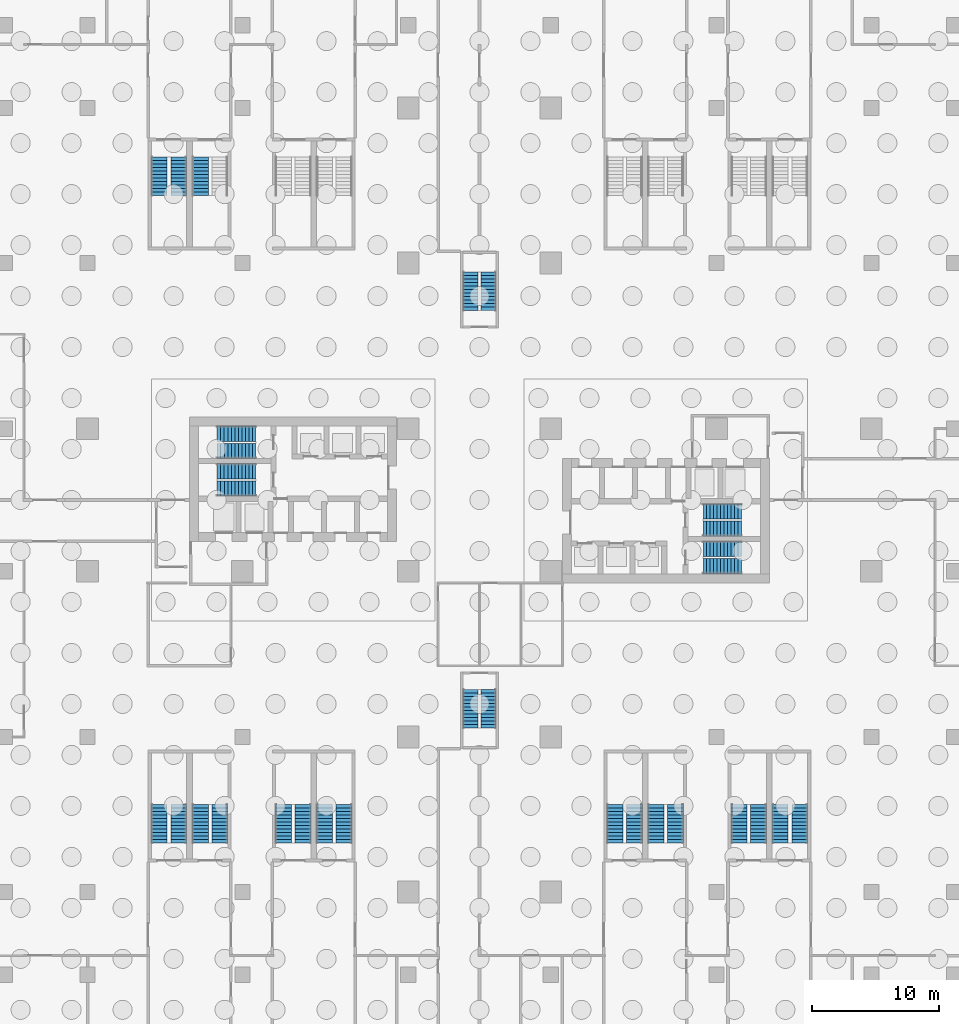
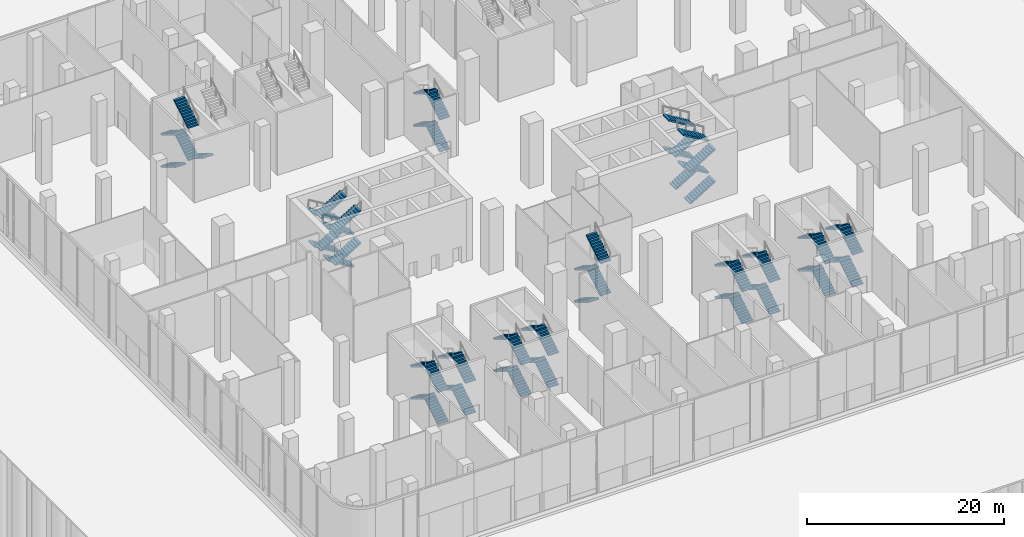
# One storey, part 24 of 27: 61 stair flights, 16 elements without a shape of their own.
"""IFC4 building model written with IfcOpenShell, lengths in metres."""

from ifc_helpers import new_model, si_unit, direction, frame, origin, place, context, subcontext, project, spatial, polyline, outline, extrude, source, transform, mapped, material, type_object, element, aggregate, save


model = new_model("IFC4")

# Units and contexts
model_context = context("Model", 3, precision=1e-05, world=origin(), true_north=direction((0.0, 1.0)))
body_context = subcontext(model_context, "Body", "Model", "MODEL_VIEW")
ifc_project = project(units=[si_unit("LENGTHUNIT", "METRE"), si_unit("AREAUNIT", "SQUARE_METRE"), si_unit("VOLUMEUNIT", "CUBIC_METRE"), si_unit("PLANEANGLEUNIT", "RADIAN"), si_unit("MASSUNIT", "GRAM", prefix="KILO")], contexts=[model_context])

# Site, building, storey
site_placement = place(None, origin())
site = spatial("IfcSite", under=ifc_project, at=site_placement, CompositionType="ELEMENT")
building_placement = place(site_placement, origin())
building = spatial("IfcBuilding", under=site, at=building_placement, Name="Trellis Farm Tower", CompositionType="ELEMENT")
storey_placement = place(building_placement, origin())
storey = spatial("IfcBuildingStorey", under=building, at=storey_placement, Name="L00", CompositionType="ELEMENT", Elevation=0.0)

# Stair, stair flights
ifc_material = material(Name="Concrete C50/60", Category="concrete")
stair_type_1 = type_object("IfcStairType", Name="CORE EXIT STAIR 48 RISERS 167 MM", PredefinedType="HALF_TURN_STAIR", material=ifc_material)
placement = place(storey_placement, origin())
stair_1 = element("IfcStair", 1, at=placement, inside=storey, type_object=stair_type_1, Name="Exit stair N", PredefinedType="HALF_TURN_STAIR")
stair_flight_type_1 = type_object("IfcStairFlightType", Name="STAIR FLIGHT 12 RISERS 167 MM", PredefinedType="STRAIGHT", material=ifc_material)
shared_shape_1 = source(origin(), body_context, "Body", "SweptSolid", [
    extrude(outline(polyline([(0.0, 0.0), (0.0, 0.166748046875), (0.27490234375, 0.166748046875), (0.27490234375, 0.333251953125), (0.550048828125, 0.333251953125), (0.550048828125, 0.5), (0.824951171875, 0.5), (0.824951171875, 0.666748046875), (1.10009765625, 0.666748046875), (1.10009765625, 0.833251953125), (1.375, 0.833251953125), (1.375, 1.0), (1.64990234375, 1.0), (1.64990234375, 1.166748046875), (1.925048828125, 1.166748046875), (1.925048828125, 1.333251953125), (2.199951171875, 1.333251953125), (2.199951171875, 1.5), (2.47509765625, 1.5), (2.47509765625, 1.666748046875), (2.75, 1.666748046875), (2.75, 1.833251953125), (3.02490234375, 1.833251953125), (3.02490234375, 2.0), (3.02490234375, 1.681396484375), (0.25048828125, 0.0), (0.0, 0.0)])), frame((0.0, 0.60009765625, 0.0), z_axis=(0.0, -1.0, 0.0), x_axis=(1.0, 0.0, 0.0)), (0.0, 0.0, 1.0), 1.199951171875),
])
stair_flight_1_placement = place(storey_placement, frame((0.699951171875, 14.85009765625, 0.0), z_axis=(0.0, 0.0, 1.0), x_axis=(0.0, 1.0, 0.0)))
stair_flight_1 = element("IfcStairFlight", 2, at=stair_flight_1_placement, type_object=stair_flight_type_1, Name="STN flight 1", NumberOfRisers=12, NumberOfTreads=11, PredefinedType="STRAIGHT", RiserHeight=0.166666667, TreadLength=0.275, context=body_context, shape_type="MappedRepresentation", body=[
    mapped(shared_shape_1, transform((0.0, 0.0, 0.0))),
])
stair_flight_2_placement = place(storey_placement, frame((-0.699951171875, 17.875, 2.0), z_axis=(0.0, 0.0, 1.0), x_axis=(0.0, -1.0, 0.0)))
stair_flight_2 = element("IfcStairFlight", 3, at=stair_flight_2_placement, type_object=stair_flight_type_1, Name="STN flight 2", NumberOfRisers=12, NumberOfTreads=11, PredefinedType="STRAIGHT", RiserHeight=0.166666667, TreadLength=0.275, context=body_context, shape_type="MappedRepresentation", body=[
    mapped(shared_shape_1, transform((0.0, 0.0, 0.0))),
])
stair_flight_3_placement = place(storey_placement, frame((0.699951171875, 14.85009765625, 4.0), z_axis=(0.0, 0.0, 1.0), x_axis=(0.0, 1.0, 0.0)))
stair_flight_3 = element("IfcStairFlight", 4, at=stair_flight_3_placement, type_object=stair_flight_type_1, Name="STN flight 3", NumberOfRisers=12, NumberOfTreads=11, PredefinedType="STRAIGHT", RiserHeight=0.166666667, TreadLength=0.275, context=body_context, shape_type="MappedRepresentation", body=[
    mapped(shared_shape_1, transform((0.0, 0.0, 0.0))),
])
stair_flight_4_placement = place(storey_placement, frame((-0.699951171875, 17.875, 6.0), z_axis=(0.0, 0.0, 1.0), x_axis=(0.0, -1.0, 0.0)))
stair_flight_4 = element("IfcStairFlight", 5, at=stair_flight_4_placement, type_object=stair_flight_type_1, Name="STN flight 4", NumberOfRisers=12, NumberOfTreads=11, PredefinedType="STRAIGHT", RiserHeight=0.166666667, TreadLength=0.275, context=body_context, shape_type="MappedRepresentation", body=[
    mapped(shared_shape_1, transform((0.0, 0.0, 0.0))),
])
aggregate(stair_1, [stair_flight_1, stair_flight_2, stair_flight_3, stair_flight_4])

stair_2 = element("IfcStair", 6, at=placement, inside=storey, type_object=stair_type_1, Name="Exit stair S", PredefinedType="HALF_TURN_STAIR")
stair_flight_5_placement = place(storey_placement, frame((-0.699951171875, -14.85009765625, 0.0), z_axis=(0.0, 0.0, 1.0), x_axis=(0.0, -1.0, 0.0)))
stair_flight_5 = element("IfcStairFlight", 7, at=stair_flight_5_placement, type_object=stair_flight_type_1, Name="STS flight 1", NumberOfRisers=12, NumberOfTreads=11, PredefinedType="STRAIGHT", RiserHeight=0.166666667, TreadLength=0.275, context=body_context, shape_type="MappedRepresentation", body=[
    mapped(shared_shape_1, transform((0.0, 0.0, 0.0))),
])
stair_flight_6_placement = place(storey_placement, frame((0.699951171875, -17.875, 2.0), z_axis=(0.0, 0.0, 1.0), x_axis=(0.0, 1.0, 0.0)))
stair_flight_6 = element("IfcStairFlight", 8, at=stair_flight_6_placement, type_object=stair_flight_type_1, Name="STS flight 2", NumberOfRisers=12, NumberOfTreads=11, PredefinedType="STRAIGHT", RiserHeight=0.166666667, TreadLength=0.275, context=body_context, shape_type="MappedRepresentation", body=[
    mapped(shared_shape_1, transform((0.0, 0.0, 0.0))),
])
stair_flight_7_placement = place(storey_placement, frame((-0.699951171875, -14.85009765625, 4.0), z_axis=(0.0, 0.0, 1.0), x_axis=(0.0, -1.0, 0.0)))
stair_flight_7 = element("IfcStairFlight", 9, at=stair_flight_7_placement, type_object=stair_flight_type_1, Name="STS flight 3", NumberOfRisers=12, NumberOfTreads=11, PredefinedType="STRAIGHT", RiserHeight=0.166666667, TreadLength=0.275, context=body_context, shape_type="MappedRepresentation", body=[
    mapped(shared_shape_1, transform((0.0, 0.0, 0.0))),
])
stair_flight_8_placement = place(storey_placement, frame((0.699951171875, -17.875, 6.0), z_axis=(0.0, 0.0, 1.0), x_axis=(0.0, 1.0, 0.0)))
stair_flight_8 = element("IfcStairFlight", 10, at=stair_flight_8_placement, type_object=stair_flight_type_1, Name="STS flight 4", NumberOfRisers=12, NumberOfTreads=11, PredefinedType="STRAIGHT", RiserHeight=0.166666667, TreadLength=0.275, context=body_context, shape_type="MappedRepresentation", body=[
    mapped(shared_shape_1, transform((0.0, 0.0, 0.0))),
])
aggregate(stair_2, [stair_flight_5, stair_flight_6, stair_flight_7, stair_flight_8])

stair_3 = element("IfcStair", 11, at=placement, inside=storey, type_object=stair_type_1, Name="Exit stair E1", PredefinedType="HALF_TURN_STAIR")
stair_flight_9_placement = place(storey_placement, frame((17.550048828125, -5.199951171875, 0.0), z_axis=(0.0, 0.0, 1.0), x_axis=(1.0, 0.0, 0.0)))
stair_flight_9 = element("IfcStairFlight", 12, at=stair_flight_9_placement, type_object=stair_flight_type_1, Name="STE1 flight 1", NumberOfRisers=12, NumberOfTreads=11, PredefinedType="STRAIGHT", RiserHeight=0.166666667, TreadLength=0.275, context=body_context, shape_type="MappedRepresentation", body=[
    mapped(shared_shape_1, transform((0.0, 0.0, 0.0))),
])
stair_flight_10_placement = place(storey_placement, frame((20.574951171875, -3.85009765625, 2.0), z_axis=(0.0, 0.0, 1.0), x_axis=(-1.0, 0.0, 0.0)))
stair_flight_10 = element("IfcStairFlight", 13, at=stair_flight_10_placement, type_object=stair_flight_type_1, Name="STE1 flight 2", NumberOfRisers=12, NumberOfTreads=11, PredefinedType="STRAIGHT", RiserHeight=0.166666667, TreadLength=0.275, context=body_context, shape_type="MappedRepresentation", body=[
    mapped(shared_shape_1, transform((0.0, 0.0, 0.0))),
])
stair_flight_11_placement = place(storey_placement, frame((17.550048828125, -5.199951171875, 4.0), z_axis=(0.0, 0.0, 1.0), x_axis=(1.0, 0.0, 0.0)))
stair_flight_11 = element("IfcStairFlight", 14, at=stair_flight_11_placement, type_object=stair_flight_type_1, Name="STE1 flight 3", NumberOfRisers=12, NumberOfTreads=11, PredefinedType="STRAIGHT", RiserHeight=0.166666667, TreadLength=0.275, context=body_context, shape_type="MappedRepresentation", body=[
    mapped(shared_shape_1, transform((0.0, 0.0, 0.0))),
])
stair_flight_12_placement = place(storey_placement, frame((20.574951171875, -3.85009765625, 6.0), z_axis=(0.0, 0.0, 1.0), x_axis=(-1.0, 0.0, 0.0)))
stair_flight_12 = element("IfcStairFlight", 15, at=stair_flight_12_placement, type_object=stair_flight_type_1, Name="STE1 flight 4", NumberOfRisers=12, NumberOfTreads=11, PredefinedType="STRAIGHT", RiserHeight=0.166666667, TreadLength=0.275, context=body_context, shape_type="MappedRepresentation", body=[
    mapped(shared_shape_1, transform((0.0, 0.0, 0.0))),
])
aggregate(stair_3, [stair_flight_9, stair_flight_10, stair_flight_11, stair_flight_12])

stair_4 = element("IfcStair", 16, at=placement, inside=storey, type_object=stair_type_1, Name="Exit stair E2", PredefinedType="HALF_TURN_STAIR")
stair_flight_13_placement = place(storey_placement, frame((17.550048828125, -2.25, 0.0), z_axis=(0.0, 0.0, 1.0), x_axis=(1.0, 0.0, 0.0)))
stair_flight_13 = element("IfcStairFlight", 17, at=stair_flight_13_placement, type_object=stair_flight_type_1, Name="STE2 flight 1", NumberOfRisers=12, NumberOfTreads=11, PredefinedType="STRAIGHT", RiserHeight=0.166666667, TreadLength=0.275, context=body_context, shape_type="MappedRepresentation", body=[
    mapped(shared_shape_1, transform((0.0, 0.0, 0.0))),
])
stair_flight_14_placement = place(storey_placement, frame((20.574951171875, -0.89990234375, 2.0), z_axis=(0.0, 0.0, 1.0), x_axis=(-1.0, 0.0, 0.0)))
stair_flight_14 = element("IfcStairFlight", 18, at=stair_flight_14_placement, type_object=stair_flight_type_1, Name="STE2 flight 2", NumberOfRisers=12, NumberOfTreads=11, PredefinedType="STRAIGHT", RiserHeight=0.166666667, TreadLength=0.275, context=body_context, shape_type="MappedRepresentation", body=[
    mapped(shared_shape_1, transform((0.0, 0.0, 0.0))),
])
stair_flight_15_placement = place(storey_placement, frame((17.550048828125, -2.25, 4.0), z_axis=(0.0, 0.0, 1.0), x_axis=(1.0, 0.0, 0.0)))
stair_flight_15 = element("IfcStairFlight", 19, at=stair_flight_15_placement, type_object=stair_flight_type_1, Name="STE2 flight 3", NumberOfRisers=12, NumberOfTreads=11, PredefinedType="STRAIGHT", RiserHeight=0.166666667, TreadLength=0.275, context=body_context, shape_type="MappedRepresentation", body=[
    mapped(shared_shape_1, transform((0.0, 0.0, 0.0))),
])
stair_flight_16_placement = place(storey_placement, frame((20.574951171875, -0.89990234375, 6.0), z_axis=(0.0, 0.0, 1.0), x_axis=(-1.0, 0.0, 0.0)))
stair_flight_16 = element("IfcStairFlight", 20, at=stair_flight_16_placement, type_object=stair_flight_type_1, Name="STE2 flight 4", NumberOfRisers=12, NumberOfTreads=11, PredefinedType="STRAIGHT", RiserHeight=0.166666667, TreadLength=0.275, context=body_context, shape_type="MappedRepresentation", body=[
    mapped(shared_shape_1, transform((0.0, 0.0, 0.0))),
])
aggregate(stair_4, [stair_flight_13, stair_flight_14, stair_flight_15, stair_flight_16])

stair_5 = element("IfcStair", 21, at=placement, inside=storey, type_object=stair_type_1, Name="Exit stair W1", PredefinedType="HALF_TURN_STAIR")
stair_flight_17_placement = place(storey_placement, frame((-17.550048828125, 5.199951171875, 0.0), z_axis=(0.0, 0.0, 1.0), x_axis=(-1.0, 0.0, 0.0)))
stair_flight_17 = element("IfcStairFlight", 22, at=stair_flight_17_placement, type_object=stair_flight_type_1, Name="STW1 flight 1", NumberOfRisers=12, NumberOfTreads=11, PredefinedType="STRAIGHT", RiserHeight=0.166666667, TreadLength=0.275, context=body_context, shape_type="MappedRepresentation", body=[
    mapped(shared_shape_1, transform((0.0, 0.0, 0.0))),
])
stair_flight_18_placement = place(storey_placement, frame((-20.574951171875, 3.85009765625, 2.0), z_axis=(0.0, 0.0, 1.0), x_axis=(1.0, 0.0, 0.0)))
stair_flight_18 = element("IfcStairFlight", 23, at=stair_flight_18_placement, type_object=stair_flight_type_1, Name="STW1 flight 2", NumberOfRisers=12, NumberOfTreads=11, PredefinedType="STRAIGHT", RiserHeight=0.166666667, TreadLength=0.275, context=body_context, shape_type="MappedRepresentation", body=[
    mapped(shared_shape_1, transform((0.0, 0.0, 0.0))),
])
stair_flight_19_placement = place(storey_placement, frame((-17.550048828125, 5.199951171875, 4.0), z_axis=(0.0, 0.0, 1.0), x_axis=(-1.0, 0.0, 0.0)))
stair_flight_19 = element("IfcStairFlight", 24, at=stair_flight_19_placement, type_object=stair_flight_type_1, Name="STW1 flight 3", NumberOfRisers=12, NumberOfTreads=11, PredefinedType="STRAIGHT", RiserHeight=0.166666667, TreadLength=0.275, context=body_context, shape_type="MappedRepresentation", body=[
    mapped(shared_shape_1, transform((0.0, 0.0, 0.0))),
])
stair_flight_20_placement = place(storey_placement, frame((-20.574951171875, 3.85009765625, 6.0), z_axis=(0.0, 0.0, 1.0), x_axis=(1.0, 0.0, 0.0)))
stair_flight_20 = element("IfcStairFlight", 25, at=stair_flight_20_placement, type_object=stair_flight_type_1, Name="STW1 flight 4", NumberOfRisers=12, NumberOfTreads=11, PredefinedType="STRAIGHT", RiserHeight=0.166666667, TreadLength=0.275, context=body_context, shape_type="MappedRepresentation", body=[
    mapped(shared_shape_1, transform((0.0, 0.0, 0.0))),
])
aggregate(stair_5, [stair_flight_17, stair_flight_18, stair_flight_19, stair_flight_20])

stair_6 = element("IfcStair", 26, at=placement, inside=storey, type_object=stair_type_1, Name="Exit stair W2", PredefinedType="HALF_TURN_STAIR")
stair_flight_21_placement = place(storey_placement, frame((-17.550048828125, 2.25, 0.0), z_axis=(0.0, 0.0, 1.0), x_axis=(-1.0, 0.0, 0.0)))
stair_flight_21 = element("IfcStairFlight", 27, at=stair_flight_21_placement, type_object=stair_flight_type_1, Name="STW2 flight 1", NumberOfRisers=12, NumberOfTreads=11, PredefinedType="STRAIGHT", RiserHeight=0.166666667, TreadLength=0.275, context=body_context, shape_type="MappedRepresentation", body=[
    mapped(shared_shape_1, transform((0.0, 0.0, 0.0))),
])
stair_flight_22_placement = place(storey_placement, frame((-20.574951171875, 0.89990234375, 2.0), z_axis=(0.0, 0.0, 1.0), x_axis=(1.0, 0.0, 0.0)))
stair_flight_22 = element("IfcStairFlight", 28, at=stair_flight_22_placement, type_object=stair_flight_type_1, Name="STW2 flight 2", NumberOfRisers=12, NumberOfTreads=11, PredefinedType="STRAIGHT", RiserHeight=0.166666667, TreadLength=0.275, context=body_context, shape_type="MappedRepresentation", body=[
    mapped(shared_shape_1, transform((0.0, 0.0, 0.0))),
])
stair_flight_23_placement = place(storey_placement, frame((-17.550048828125, 2.25, 4.0), z_axis=(0.0, 0.0, 1.0), x_axis=(-1.0, 0.0, 0.0)))
stair_flight_23 = element("IfcStairFlight", 29, at=stair_flight_23_placement, type_object=stair_flight_type_1, Name="STW2 flight 3", NumberOfRisers=12, NumberOfTreads=11, PredefinedType="STRAIGHT", RiserHeight=0.166666667, TreadLength=0.275, context=body_context, shape_type="MappedRepresentation", body=[
    mapped(shared_shape_1, transform((0.0, 0.0, 0.0))),
])
stair_flight_24_placement = place(storey_placement, frame((-20.574951171875, 0.89990234375, 6.0), z_axis=(0.0, 0.0, 1.0), x_axis=(1.0, 0.0, 0.0)))
stair_flight_24 = element("IfcStairFlight", 30, at=stair_flight_24_placement, type_object=stair_flight_type_1, Name="STW2 flight 4", NumberOfRisers=12, NumberOfTreads=11, PredefinedType="STRAIGHT", RiserHeight=0.166666667, TreadLength=0.275, context=body_context, shape_type="MappedRepresentation", body=[
    mapped(shared_shape_1, transform((0.0, 0.0, 0.0))),
])
aggregate(stair_6, [stair_flight_21, stair_flight_22, stair_flight_23, stair_flight_24])

stair_type_2 = type_object("IfcStairType", Name="PODIUM EXIT STAIR 48 RISERS 167 MM 1250 WIDE", PredefinedType="HALF_TURN_STAIR", material=ifc_material)
stair_7 = element("IfcStair", 31, at=placement, inside=storey, type_object=stair_type_2, Name="Podium exit stair STP1A", PredefinedType="HALF_TURN_STAIR")
stair_flight_type_2 = type_object("IfcStairFlightType", Name="PODIUM STAIR FLIGHT 12 RISERS 167 MM 1250 WIDE", PredefinedType="STRAIGHT", material=ifc_material)
shared_shape_2 = source(origin(), body_context, "Body", "SweptSolid", [
    extrude(outline(polyline([(0.0, 0.0), (0.0, 0.166748046875), (0.27490234375, 0.166748046875), (0.27490234375, 0.333251953125), (0.550048828125, 0.333251953125), (0.550048828125, 0.5), (0.824951171875, 0.5), (0.824951171875, 0.666748046875), (1.10009765625, 0.666748046875), (1.10009765625, 0.833251953125), (1.375, 0.833251953125), (1.375, 1.0), (1.64990234375, 1.0), (1.64990234375, 1.166748046875), (1.925048828125, 1.166748046875), (1.925048828125, 1.333251953125), (2.199951171875, 1.333251953125), (2.199951171875, 1.5), (2.47509765625, 1.5), (2.47509765625, 1.666748046875), (2.75, 1.666748046875), (2.75, 1.833251953125), (3.02490234375, 1.833251953125), (3.02490234375, 2.0), (3.02490234375, 1.681396484375), (0.25048828125, 0.0), (0.0, 0.0)])), frame((0.0, 0.625, 0.0), z_axis=(0.0, -1.0, 0.0), x_axis=(1.0, 0.0, 0.0)), (0.0, 0.0, 1.0), 1.25),
])
stair_flight_25_placement = place(storey_placement, frame((-25.125, 26.89990234375, 0.0), z_axis=(0.0, 0.0, 1.0), x_axis=(0.0, -1.0, 0.0)))
stair_flight_25 = element("IfcStairFlight", 32, at=stair_flight_25_placement, type_object=stair_flight_type_2, Name="STP1A flight 1", NumberOfRisers=12, NumberOfTreads=11, PredefinedType="STRAIGHT", RiserHeight=0.166666667, TreadLength=0.275, context=body_context, shape_type="MappedRepresentation", body=[
    mapped(shared_shape_2, transform((0.0, 0.0, 0.0))),
])
stair_flight_26_placement = place(storey_placement, frame((-23.594970703125, 23.875, 2.0), z_axis=(0.0, 0.0, 1.0), x_axis=(0.0, 1.0, 0.0)))
stair_flight_26 = element("IfcStairFlight", 33, at=stair_flight_26_placement, type_object=stair_flight_type_2, Name="STP1A flight 2", NumberOfRisers=12, NumberOfTreads=11, PredefinedType="STRAIGHT", RiserHeight=0.166666667, TreadLength=0.275, context=body_context, shape_type="MappedRepresentation", body=[
    mapped(shared_shape_2, transform((0.0, 0.0, 0.0))),
])
stair_flight_27_placement = place(storey_placement, frame((-25.125, 26.89990234375, 4.0), z_axis=(0.0, 0.0, 1.0), x_axis=(0.0, -1.0, 0.0)))
stair_flight_27 = element("IfcStairFlight", 34, at=stair_flight_27_placement, type_object=stair_flight_type_2, Name="STP1A flight 3", NumberOfRisers=12, NumberOfTreads=11, PredefinedType="STRAIGHT", RiserHeight=0.166666667, TreadLength=0.275, context=body_context, shape_type="MappedRepresentation", body=[
    mapped(shared_shape_2, transform((0.0, 0.0, 0.0))),
])
stair_flight_28_placement = place(storey_placement, frame((-23.594970703125, 23.875, 6.0), z_axis=(0.0, 0.0, 1.0), x_axis=(0.0, 1.0, 0.0)))
stair_flight_28 = element("IfcStairFlight", 35, at=stair_flight_28_placement, type_object=stair_flight_type_2, Name="STP1A flight 4", NumberOfRisers=12, NumberOfTreads=11, PredefinedType="STRAIGHT", RiserHeight=0.166666667, TreadLength=0.275, context=body_context, shape_type="MappedRepresentation", body=[
    mapped(shared_shape_2, transform((0.0, 0.0, 0.0))),
])
aggregate(stair_7, [stair_flight_25, stair_flight_26, stair_flight_27, stair_flight_28])

# Stair, stair flight
stair_8 = element("IfcStair", 36, at=placement, inside=storey, type_object=stair_type_2, Name="Podium exit stair STP1B", PredefinedType="HALF_TURN_STAIR")
stair_flight_29_placement = place(storey_placement, frame((-21.905029296875, 26.89990234375, 0.0), z_axis=(0.0, 0.0, 1.0), x_axis=(0.0, -1.0, 0.0)))
stair_flight_29 = element("IfcStairFlight", 37, at=stair_flight_29_placement, type_object=stair_flight_type_2, Name="STP1B flight 1", NumberOfRisers=12, NumberOfTreads=11, PredefinedType="STRAIGHT", RiserHeight=0.166666667, TreadLength=0.275, context=body_context, shape_type="MappedRepresentation", body=[
    mapped(shared_shape_2, transform((0.0, 0.0, 0.0))),
])
aggregate(stair_8, [stair_flight_29])

# Stair, stair flights
stair_9 = element("IfcStair", 38, at=placement, inside=storey, type_object=stair_type_2, Name="Podium exit stair STP5A", PredefinedType="HALF_TURN_STAIR")
stair_flight_30_placement = place(storey_placement, frame((-23.594970703125, -26.89990234375, 0.0), z_axis=(0.0, 0.0, 1.0), x_axis=(0.0, 1.0, 0.0)))
stair_flight_30 = element("IfcStairFlight", 39, at=stair_flight_30_placement, type_object=stair_flight_type_2, Name="STP5A flight 1", NumberOfRisers=12, NumberOfTreads=11, PredefinedType="STRAIGHT", RiserHeight=0.166666667, TreadLength=0.275, context=body_context, shape_type="MappedRepresentation", body=[
    mapped(shared_shape_2, transform((0.0, 0.0, 0.0))),
])
stair_flight_31_placement = place(storey_placement, frame((-25.125, -23.875, 2.0), z_axis=(0.0, 0.0, 1.0), x_axis=(0.0, -1.0, 0.0)))
stair_flight_31 = element("IfcStairFlight", 40, at=stair_flight_31_placement, type_object=stair_flight_type_2, Name="STP5A flight 2", NumberOfRisers=12, NumberOfTreads=11, PredefinedType="STRAIGHT", RiserHeight=0.166666667, TreadLength=0.275, context=body_context, shape_type="MappedRepresentation", body=[
    mapped(shared_shape_2, transform((0.0, 0.0, 0.0))),
])
stair_flight_32_placement = place(storey_placement, frame((-23.594970703125, -26.89990234375, 4.0), z_axis=(0.0, 0.0, 1.0), x_axis=(0.0, 1.0, 0.0)))
stair_flight_32 = element("IfcStairFlight", 41, at=stair_flight_32_placement, type_object=stair_flight_type_2, Name="STP5A flight 3", NumberOfRisers=12, NumberOfTreads=11, PredefinedType="STRAIGHT", RiserHeight=0.166666667, TreadLength=0.275, context=body_context, shape_type="MappedRepresentation", body=[
    mapped(shared_shape_2, transform((0.0, 0.0, 0.0))),
])
stair_flight_33_placement = place(storey_placement, frame((-25.125, -23.875, 6.0), z_axis=(0.0, 0.0, 1.0), x_axis=(0.0, -1.0, 0.0)))
stair_flight_33 = element("IfcStairFlight", 42, at=stair_flight_33_placement, type_object=stair_flight_type_2, Name="STP5A flight 4", NumberOfRisers=12, NumberOfTreads=11, PredefinedType="STRAIGHT", RiserHeight=0.166666667, TreadLength=0.275, context=body_context, shape_type="MappedRepresentation", body=[
    mapped(shared_shape_2, transform((0.0, 0.0, 0.0))),
])
aggregate(stair_9, [stair_flight_30, stair_flight_31, stair_flight_32, stair_flight_33])

stair_10 = element("IfcStair", 43, at=placement, inside=storey, type_object=stair_type_2, Name="Podium exit stair STP5B", PredefinedType="HALF_TURN_STAIR")
stair_flight_34_placement = place(storey_placement, frame((-20.375, -26.89990234375, 0.0), z_axis=(0.0, 0.0, 1.0), x_axis=(0.0, 1.0, 0.0)))
stair_flight_34 = element("IfcStairFlight", 44, at=stair_flight_34_placement, type_object=stair_flight_type_2, Name="STP5B flight 1", NumberOfRisers=12, NumberOfTreads=11, PredefinedType="STRAIGHT", RiserHeight=0.166666667, TreadLength=0.275, context=body_context, shape_type="MappedRepresentation", body=[
    mapped(shared_shape_2, transform((0.0, 0.0, 0.0))),
])
stair_flight_35_placement = place(storey_placement, frame((-21.905029296875, -23.875, 2.0), z_axis=(0.0, 0.0, 1.0), x_axis=(0.0, -1.0, 0.0)))
stair_flight_35 = element("IfcStairFlight", 45, at=stair_flight_35_placement, type_object=stair_flight_type_2, Name="STP5B flight 2", NumberOfRisers=12, NumberOfTreads=11, PredefinedType="STRAIGHT", RiserHeight=0.166666667, TreadLength=0.275, context=body_context, shape_type="MappedRepresentation", body=[
    mapped(shared_shape_2, transform((0.0, 0.0, 0.0))),
])
stair_flight_36_placement = place(storey_placement, frame((-20.375, -26.89990234375, 4.0), z_axis=(0.0, 0.0, 1.0), x_axis=(0.0, 1.0, 0.0)))
stair_flight_36 = element("IfcStairFlight", 46, at=stair_flight_36_placement, type_object=stair_flight_type_2, Name="STP5B flight 3", NumberOfRisers=12, NumberOfTreads=11, PredefinedType="STRAIGHT", RiserHeight=0.166666667, TreadLength=0.275, context=body_context, shape_type="MappedRepresentation", body=[
    mapped(shared_shape_2, transform((0.0, 0.0, 0.0))),
])
stair_flight_37_placement = place(storey_placement, frame((-21.905029296875, -23.875, 6.0), z_axis=(0.0, 0.0, 1.0), x_axis=(0.0, -1.0, 0.0)))
stair_flight_37 = element("IfcStairFlight", 47, at=stair_flight_37_placement, type_object=stair_flight_type_2, Name="STP5B flight 4", NumberOfRisers=12, NumberOfTreads=11, PredefinedType="STRAIGHT", RiserHeight=0.166666667, TreadLength=0.275, context=body_context, shape_type="MappedRepresentation", body=[
    mapped(shared_shape_2, transform((0.0, 0.0, 0.0))),
])
aggregate(stair_10, [stair_flight_34, stair_flight_35, stair_flight_36, stair_flight_37])

stair_11 = element("IfcStair", 48, at=placement, inside=storey, type_object=stair_type_2, Name="Podium exit stair STP6A", PredefinedType="HALF_TURN_STAIR")
stair_flight_38_placement = place(storey_placement, frame((-13.844970703125, -26.89990234375, 0.0), z_axis=(0.0, 0.0, 1.0), x_axis=(0.0, 1.0, 0.0)))
stair_flight_38 = element("IfcStairFlight", 49, at=stair_flight_38_placement, type_object=stair_flight_type_2, Name="STP6A flight 1", NumberOfRisers=12, NumberOfTreads=11, PredefinedType="STRAIGHT", RiserHeight=0.166666667, TreadLength=0.275, context=body_context, shape_type="MappedRepresentation", body=[
    mapped(shared_shape_2, transform((0.0, 0.0, 0.0))),
])
stair_flight_39_placement = place(storey_placement, frame((-15.375, -23.875, 2.0), z_axis=(0.0, 0.0, 1.0), x_axis=(0.0, -1.0, 0.0)))
stair_flight_39 = element("IfcStairFlight", 50, at=stair_flight_39_placement, type_object=stair_flight_type_2, Name="STP6A flight 2", NumberOfRisers=12, NumberOfTreads=11, PredefinedType="STRAIGHT", RiserHeight=0.166666667, TreadLength=0.275, context=body_context, shape_type="MappedRepresentation", body=[
    mapped(shared_shape_2, transform((0.0, 0.0, 0.0))),
])
stair_flight_40_placement = place(storey_placement, frame((-13.844970703125, -26.89990234375, 4.0), z_axis=(0.0, 0.0, 1.0), x_axis=(0.0, 1.0, 0.0)))
stair_flight_40 = element("IfcStairFlight", 51, at=stair_flight_40_placement, type_object=stair_flight_type_2, Name="STP6A flight 3", NumberOfRisers=12, NumberOfTreads=11, PredefinedType="STRAIGHT", RiserHeight=0.166666667, TreadLength=0.275, context=body_context, shape_type="MappedRepresentation", body=[
    mapped(shared_shape_2, transform((0.0, 0.0, 0.0))),
])
stair_flight_41_placement = place(storey_placement, frame((-15.375, -23.875, 6.0), z_axis=(0.0, 0.0, 1.0), x_axis=(0.0, -1.0, 0.0)))
stair_flight_41 = element("IfcStairFlight", 52, at=stair_flight_41_placement, type_object=stair_flight_type_2, Name="STP6A flight 4", NumberOfRisers=12, NumberOfTreads=11, PredefinedType="STRAIGHT", RiserHeight=0.166666667, TreadLength=0.275, context=body_context, shape_type="MappedRepresentation", body=[
    mapped(shared_shape_2, transform((0.0, 0.0, 0.0))),
])
aggregate(stair_11, [stair_flight_38, stair_flight_39, stair_flight_40, stair_flight_41])

stair_12 = element("IfcStair", 53, at=placement, inside=storey, type_object=stair_type_2, Name="Podium exit stair STP6B", PredefinedType="HALF_TURN_STAIR")
stair_flight_42_placement = place(storey_placement, frame((-10.625, -26.89990234375, 0.0), z_axis=(0.0, 0.0, 1.0), x_axis=(0.0, 1.0, 0.0)))
stair_flight_42 = element("IfcStairFlight", 54, at=stair_flight_42_placement, type_object=stair_flight_type_2, Name="STP6B flight 1", NumberOfRisers=12, NumberOfTreads=11, PredefinedType="STRAIGHT", RiserHeight=0.166666667, TreadLength=0.275, context=body_context, shape_type="MappedRepresentation", body=[
    mapped(shared_shape_2, transform((0.0, 0.0, 0.0))),
])
stair_flight_43_placement = place(storey_placement, frame((-12.155029296875, -23.875, 2.0), z_axis=(0.0, 0.0, 1.0), x_axis=(0.0, -1.0, 0.0)))
stair_flight_43 = element("IfcStairFlight", 55, at=stair_flight_43_placement, type_object=stair_flight_type_2, Name="STP6B flight 2", NumberOfRisers=12, NumberOfTreads=11, PredefinedType="STRAIGHT", RiserHeight=0.166666667, TreadLength=0.275, context=body_context, shape_type="MappedRepresentation", body=[
    mapped(shared_shape_2, transform((0.0, 0.0, 0.0))),
])
stair_flight_44_placement = place(storey_placement, frame((-10.625, -26.89990234375, 4.0), z_axis=(0.0, 0.0, 1.0), x_axis=(0.0, 1.0, 0.0)))
stair_flight_44 = element("IfcStairFlight", 56, at=stair_flight_44_placement, type_object=stair_flight_type_2, Name="STP6B flight 3", NumberOfRisers=12, NumberOfTreads=11, PredefinedType="STRAIGHT", RiserHeight=0.166666667, TreadLength=0.275, context=body_context, shape_type="MappedRepresentation", body=[
    mapped(shared_shape_2, transform((0.0, 0.0, 0.0))),
])
stair_flight_45_placement = place(storey_placement, frame((-12.155029296875, -23.875, 6.0), z_axis=(0.0, 0.0, 1.0), x_axis=(0.0, -1.0, 0.0)))
stair_flight_45 = element("IfcStairFlight", 57, at=stair_flight_45_placement, type_object=stair_flight_type_2, Name="STP6B flight 4", NumberOfRisers=12, NumberOfTreads=11, PredefinedType="STRAIGHT", RiserHeight=0.166666667, TreadLength=0.275, context=body_context, shape_type="MappedRepresentation", body=[
    mapped(shared_shape_2, transform((0.0, 0.0, 0.0))),
])
aggregate(stair_12, [stair_flight_42, stair_flight_43, stair_flight_44, stair_flight_45])

stair_13 = element("IfcStair", 58, at=placement, inside=storey, type_object=stair_type_2, Name="Podium exit stair STP7A", PredefinedType="HALF_TURN_STAIR")
stair_flight_46_placement = place(storey_placement, frame((12.155029296875, -26.89990234375, 0.0), z_axis=(0.0, 0.0, 1.0), x_axis=(0.0, 1.0, 0.0)))
stair_flight_46 = element("IfcStairFlight", 59, at=stair_flight_46_placement, type_object=stair_flight_type_2, Name="STP7A flight 1", NumberOfRisers=12, NumberOfTreads=11, PredefinedType="STRAIGHT", RiserHeight=0.166666667, TreadLength=0.275, context=body_context, shape_type="MappedRepresentation", body=[
    mapped(shared_shape_2, transform((0.0, 0.0, 0.0))),
])
stair_flight_47_placement = place(storey_placement, frame((10.625, -23.875, 2.0), z_axis=(0.0, 0.0, 1.0), x_axis=(0.0, -1.0, 0.0)))
stair_flight_47 = element("IfcStairFlight", 60, at=stair_flight_47_placement, type_object=stair_flight_type_2, Name="STP7A flight 2", NumberOfRisers=12, NumberOfTreads=11, PredefinedType="STRAIGHT", RiserHeight=0.166666667, TreadLength=0.275, context=body_context, shape_type="MappedRepresentation", body=[
    mapped(shared_shape_2, transform((0.0, 0.0, 0.0))),
])
stair_flight_48_placement = place(storey_placement, frame((12.155029296875, -26.89990234375, 4.0), z_axis=(0.0, 0.0, 1.0), x_axis=(0.0, 1.0, 0.0)))
stair_flight_48 = element("IfcStairFlight", 61, at=stair_flight_48_placement, type_object=stair_flight_type_2, Name="STP7A flight 3", NumberOfRisers=12, NumberOfTreads=11, PredefinedType="STRAIGHT", RiserHeight=0.166666667, TreadLength=0.275, context=body_context, shape_type="MappedRepresentation", body=[
    mapped(shared_shape_2, transform((0.0, 0.0, 0.0))),
])
stair_flight_49_placement = place(storey_placement, frame((10.625, -23.875, 6.0), z_axis=(0.0, 0.0, 1.0), x_axis=(0.0, -1.0, 0.0)))
stair_flight_49 = element("IfcStairFlight", 62, at=stair_flight_49_placement, type_object=stair_flight_type_2, Name="STP7A flight 4", NumberOfRisers=12, NumberOfTreads=11, PredefinedType="STRAIGHT", RiserHeight=0.166666667, TreadLength=0.275, context=body_context, shape_type="MappedRepresentation", body=[
    mapped(shared_shape_2, transform((0.0, 0.0, 0.0))),
])
aggregate(stair_13, [stair_flight_46, stair_flight_47, stair_flight_48, stair_flight_49])

stair_14 = element("IfcStair", 63, at=placement, inside=storey, type_object=stair_type_2, Name="Podium exit stair STP7B", PredefinedType="HALF_TURN_STAIR")
stair_flight_50_placement = place(storey_placement, frame((15.375, -26.89990234375, 0.0), z_axis=(0.0, 0.0, 1.0), x_axis=(0.0, 1.0, 0.0)))
stair_flight_50 = element("IfcStairFlight", 64, at=stair_flight_50_placement, type_object=stair_flight_type_2, Name="STP7B flight 1", NumberOfRisers=12, NumberOfTreads=11, PredefinedType="STRAIGHT", RiserHeight=0.166666667, TreadLength=0.275, context=body_context, shape_type="MappedRepresentation", body=[
    mapped(shared_shape_2, transform((0.0, 0.0, 0.0))),
])
stair_flight_51_placement = place(storey_placement, frame((13.844970703125, -23.875, 2.0), z_axis=(0.0, 0.0, 1.0), x_axis=(0.0, -1.0, 0.0)))
stair_flight_51 = element("IfcStairFlight", 65, at=stair_flight_51_placement, type_object=stair_flight_type_2, Name="STP7B flight 2", NumberOfRisers=12, NumberOfTreads=11, PredefinedType="STRAIGHT", RiserHeight=0.166666667, TreadLength=0.275, context=body_context, shape_type="MappedRepresentation", body=[
    mapped(shared_shape_2, transform((0.0, 0.0, 0.0))),
])
stair_flight_52_placement = place(storey_placement, frame((15.375, -26.89990234375, 4.0), z_axis=(0.0, 0.0, 1.0), x_axis=(0.0, 1.0, 0.0)))
stair_flight_52 = element("IfcStairFlight", 66, at=stair_flight_52_placement, type_object=stair_flight_type_2, Name="STP7B flight 3", NumberOfRisers=12, NumberOfTreads=11, PredefinedType="STRAIGHT", RiserHeight=0.166666667, TreadLength=0.275, context=body_context, shape_type="MappedRepresentation", body=[
    mapped(shared_shape_2, transform((0.0, 0.0, 0.0))),
])
stair_flight_53_placement = place(storey_placement, frame((13.844970703125, -23.875, 6.0), z_axis=(0.0, 0.0, 1.0), x_axis=(0.0, -1.0, 0.0)))
stair_flight_53 = element("IfcStairFlight", 67, at=stair_flight_53_placement, type_object=stair_flight_type_2, Name="STP7B flight 4", NumberOfRisers=12, NumberOfTreads=11, PredefinedType="STRAIGHT", RiserHeight=0.166666667, TreadLength=0.275, context=body_context, shape_type="MappedRepresentation", body=[
    mapped(shared_shape_2, transform((0.0, 0.0, 0.0))),
])
aggregate(stair_14, [stair_flight_50, stair_flight_51, stair_flight_52, stair_flight_53])

stair_15 = element("IfcStair", 68, at=placement, inside=storey, type_object=stair_type_2, Name="Podium exit stair STP8A", PredefinedType="HALF_TURN_STAIR")
stair_flight_54_placement = place(storey_placement, frame((21.905029296875, -26.89990234375, 0.0), z_axis=(0.0, 0.0, 1.0), x_axis=(0.0, 1.0, 0.0)))
stair_flight_54 = element("IfcStairFlight", 69, at=stair_flight_54_placement, type_object=stair_flight_type_2, Name="STP8A flight 1", NumberOfRisers=12, NumberOfTreads=11, PredefinedType="STRAIGHT", RiserHeight=0.166666667, TreadLength=0.275, context=body_context, shape_type="MappedRepresentation", body=[
    mapped(shared_shape_2, transform((0.0, 0.0, 0.0))),
])
stair_flight_55_placement = place(storey_placement, frame((20.375, -23.875, 2.0), z_axis=(0.0, 0.0, 1.0), x_axis=(0.0, -1.0, 0.0)))
stair_flight_55 = element("IfcStairFlight", 70, at=stair_flight_55_placement, type_object=stair_flight_type_2, Name="STP8A flight 2", NumberOfRisers=12, NumberOfTreads=11, PredefinedType="STRAIGHT", RiserHeight=0.166666667, TreadLength=0.275, context=body_context, shape_type="MappedRepresentation", body=[
    mapped(shared_shape_2, transform((0.0, 0.0, 0.0))),
])
stair_flight_56_placement = place(storey_placement, frame((21.905029296875, -26.89990234375, 4.0), z_axis=(0.0, 0.0, 1.0), x_axis=(0.0, 1.0, 0.0)))
stair_flight_56 = element("IfcStairFlight", 71, at=stair_flight_56_placement, type_object=stair_flight_type_2, Name="STP8A flight 3", NumberOfRisers=12, NumberOfTreads=11, PredefinedType="STRAIGHT", RiserHeight=0.166666667, TreadLength=0.275, context=body_context, shape_type="MappedRepresentation", body=[
    mapped(shared_shape_2, transform((0.0, 0.0, 0.0))),
])
stair_flight_57_placement = place(storey_placement, frame((20.375, -23.875, 6.0), z_axis=(0.0, 0.0, 1.0), x_axis=(0.0, -1.0, 0.0)))
stair_flight_57 = element("IfcStairFlight", 72, at=stair_flight_57_placement, type_object=stair_flight_type_2, Name="STP8A flight 4", NumberOfRisers=12, NumberOfTreads=11, PredefinedType="STRAIGHT", RiserHeight=0.166666667, TreadLength=0.275, context=body_context, shape_type="MappedRepresentation", body=[
    mapped(shared_shape_2, transform((0.0, 0.0, 0.0))),
])
aggregate(stair_15, [stair_flight_54, stair_flight_55, stair_flight_56, stair_flight_57])

stair_16 = element("IfcStair", 73, at=placement, inside=storey, type_object=stair_type_2, Name="Podium exit stair STP8B", PredefinedType="HALF_TURN_STAIR")
stair_flight_58_placement = place(storey_placement, frame((25.125, -26.89990234375, 0.0), z_axis=(0.0, 0.0, 1.0), x_axis=(0.0, 1.0, 0.0)))
stair_flight_58 = element("IfcStairFlight", 74, at=stair_flight_58_placement, type_object=stair_flight_type_2, Name="STP8B flight 1", NumberOfRisers=12, NumberOfTreads=11, PredefinedType="STRAIGHT", RiserHeight=0.166666667, TreadLength=0.275, context=body_context, shape_type="MappedRepresentation", body=[
    mapped(shared_shape_2, transform((0.0, 0.0, 0.0))),
])
stair_flight_59_placement = place(storey_placement, frame((23.594970703125, -23.875, 2.0), z_axis=(0.0, 0.0, 1.0), x_axis=(0.0, -1.0, 0.0)))
stair_flight_59 = element("IfcStairFlight", 75, at=stair_flight_59_placement, type_object=stair_flight_type_2, Name="STP8B flight 2", NumberOfRisers=12, NumberOfTreads=11, PredefinedType="STRAIGHT", RiserHeight=0.166666667, TreadLength=0.275, context=body_context, shape_type="MappedRepresentation", body=[
    mapped(shared_shape_2, transform((0.0, 0.0, 0.0))),
])
stair_flight_60_placement = place(storey_placement, frame((25.125, -26.89990234375, 4.0), z_axis=(0.0, 0.0, 1.0), x_axis=(0.0, 1.0, 0.0)))
stair_flight_60 = element("IfcStairFlight", 76, at=stair_flight_60_placement, type_object=stair_flight_type_2, Name="STP8B flight 3", NumberOfRisers=12, NumberOfTreads=11, PredefinedType="STRAIGHT", RiserHeight=0.166666667, TreadLength=0.275, context=body_context, shape_type="MappedRepresentation", body=[
    mapped(shared_shape_2, transform((0.0, 0.0, 0.0))),
])
stair_flight_61_placement = place(storey_placement, frame((23.594970703125, -23.875, 6.0), z_axis=(0.0, 0.0, 1.0), x_axis=(0.0, -1.0, 0.0)))
stair_flight_61 = element("IfcStairFlight", 77, at=stair_flight_61_placement, type_object=stair_flight_type_2, Name="STP8B flight 4", NumberOfRisers=12, NumberOfTreads=11, PredefinedType="STRAIGHT", RiserHeight=0.166666667, TreadLength=0.275, context=body_context, shape_type="MappedRepresentation", body=[
    mapped(shared_shape_2, transform((0.0, 0.0, 0.0))),
])
aggregate(stair_16, [stair_flight_58, stair_flight_59, stair_flight_60, stair_flight_61])

save(model, "model.ifc")
